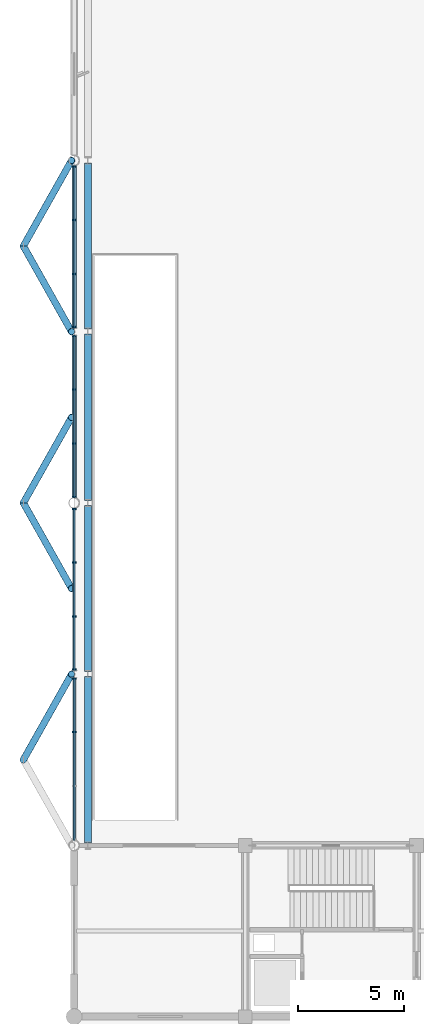
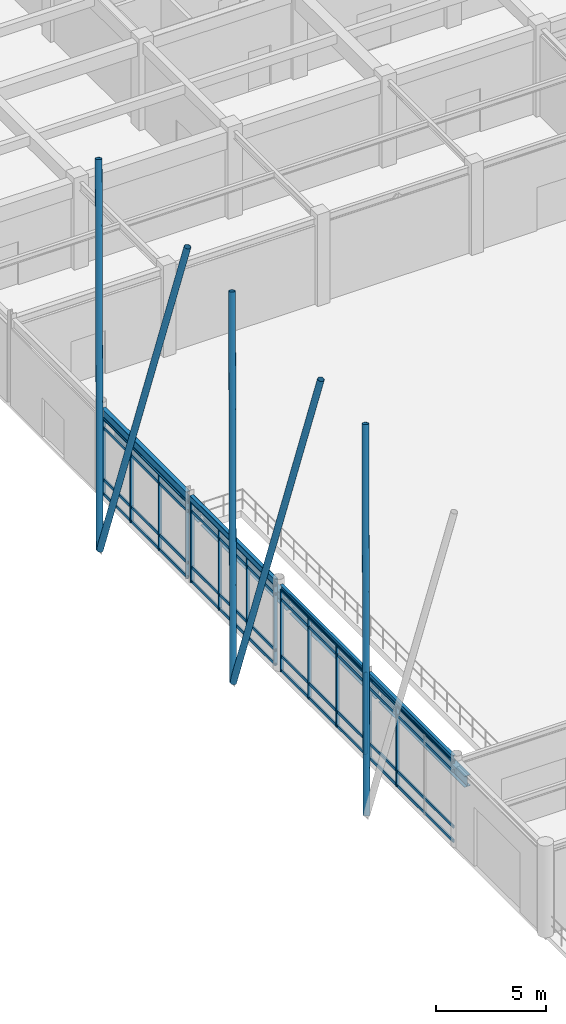
# One storey, part 31 of 99: 35 members, 8 beams, 4 elements without a shape of their own.
"""IFC4 building model written with IfcOpenShell, lengths in metres."""

from ifc_helpers import new_model, si_unit, direction, frame, origin, origin_2d, place, context, subcontext, project, spatial, rectangle, hollow_rectangle, hollow_circle, i_section, extrude, material, layer, layer_set, material_profile, profile_set, type_object, element, aggregate, save


model = new_model("IFC4")

# Units and contexts
model_context = context("Model", 3, precision=1e-05, world=origin(), true_north=direction((0.0, 1.0)))
body_context = subcontext(model_context, "Body", "Model", "MODEL_VIEW")
ifc_project = project(units=[si_unit("LENGTHUNIT", "METRE"), si_unit("AREAUNIT", "SQUARE_METRE"), si_unit("VOLUMEUNIT", "CUBIC_METRE"), si_unit("PLANEANGLEUNIT", "RADIAN"), si_unit("MASSUNIT", "GRAM", prefix="KILO")], contexts=[model_context])

# Site, building, storey
site_placement = place(None, origin())
site = spatial("IfcSite", under=ifc_project, at=site_placement, CompositionType="ELEMENT")
building_placement = place(site_placement, origin())
building = spatial("IfcBuilding", under=site, at=building_placement, Name="Vaudrelin Polytechnic", CompositionType="ELEMENT")
storey_placement = place(building_placement, origin())
storey = spatial("IfcBuildingStorey", under=building, at=storey_placement, Name="L00", CompositionType="ELEMENT", Elevation=0.0)

# Beams
ifc_material_1 = material(Name="Steel CSA G40.21 350W", Category="steel")
ifc_material_profile_1 = material_profile(ifc_material_1, i_section(OverallWidth=0.214111328125, OverallDepth=0.549072265625, WebThickness=0.0146484375, FlangeThickness=0.023681640625, FilletRadius=0.01904296875, at=origin_2d()), Name="W530x138")
ifc_profile_set_1 = profile_set([ifc_material_profile_1], Name="Steel CSA G40.21 350W")
beam_type_1 = type_object("IfcBeamType", Name="BM-BM-W530H", PredefinedType="BEAM", material=ifc_profile_set_1)
beam_1_placement = place(storey_placement, frame((0.0, 73.0615234375, 4.54541015625), z_axis=(0.0, 1.0, 0.0), x_axis=(-1.0, 0.0, 0.0)))
element("IfcBeam", 1, at=beam_1_placement, inside=storey, type_object=beam_type_1, Name="L00 Y-beam 1-10", PredefinedType="BEAM", context=body_context, shape_type="SweptSolid", body=[
    extrude(i_section(OverallWidth=0.214111328125, OverallDepth=0.549072265625, WebThickness=0.0146484375, FlangeThickness=0.023681640625, FilletRadius=0.01904296875, at=origin_2d()), origin(), (0.0, 0.0, 1.0), 7.699462890625),
])
ifc_material_profile_2 = material_profile(ifc_material_1, i_section(OverallWidth=0.323974609375, OverallDepth=0.611083984375, WebThickness=0.0126953125, FlangeThickness=0.01904296875, FilletRadius=0.02001953125, at=origin_2d()), Name="W610x155")
ifc_profile_set_2 = profile_set([ifc_material_profile_2], Name="Steel CSA G40.21 350W")
beam_type_2 = type_object("IfcBeamType", Name="BM-BM-W610H", PredefinedType="BEAM", material=ifc_profile_set_2)
beam_2_placement = place(storey_placement, frame((0.64990234375, 48.719970703125, 3.244384765625), z_axis=(0.0, 1.0, 0.0), x_axis=(-1.0, 0.0, 0.0)))
element("IfcBeam", 2, at=beam_2_placement, inside=storey, type_object=beam_type_2, Name="Workshop crane runway girder WEST bay 6", PredefinedType="BEAM", context=body_context, shape_type="SweptSolid", body=[
    extrude(i_section(OverallWidth=0.323974609375, OverallDepth=0.611083984375, WebThickness=0.0126953125, FlangeThickness=0.01904296875, FilletRadius=0.02001953125, at=origin_2d()), origin(), (0.0, 0.0, 1.0), 7.860107421875),
])
beam_3_placement = place(storey_placement, frame((0.64990234375, 56.820068359375, 3.244384765625), z_axis=(0.0, 1.0, 0.0), x_axis=(-1.0, 0.0, 0.0)))
element("IfcBeam", 3, at=beam_3_placement, inside=storey, type_object=beam_type_2, Name="Workshop crane runway girder WEST bay 7", PredefinedType="BEAM", context=body_context, shape_type="SweptSolid", body=[
    extrude(i_section(OverallWidth=0.323974609375, OverallDepth=0.611083984375, WebThickness=0.0126953125, FlangeThickness=0.01904296875, FilletRadius=0.02001953125, at=origin_2d()), origin(), (0.0, 0.0, 1.0), 7.85986328125),
])
beam_4_placement = place(storey_placement, frame((0.64990234375, 64.919921875, 3.244384765625), z_axis=(0.0, 1.0, 0.0), x_axis=(-1.0, 0.0, 0.0)))
element("IfcBeam", 4, at=beam_4_placement, inside=storey, type_object=beam_type_2, Name="Workshop crane runway girder WEST bay 8", PredefinedType="BEAM", context=body_context, shape_type="SweptSolid", body=[
    extrude(i_section(OverallWidth=0.323974609375, OverallDepth=0.611083984375, WebThickness=0.0126953125, FlangeThickness=0.01904296875, FilletRadius=0.02001953125, at=origin_2d()), origin(), (0.0, 0.0, 1.0), 7.860107421875),
])
beam_5_placement = place(storey_placement, frame((0.64990234375, 73.02001953125, 3.244384765625), z_axis=(0.0, 1.0, 0.0), x_axis=(-1.0, 0.0, 0.0)))
element("IfcBeam", 5, at=beam_5_placement, inside=storey, type_object=beam_type_2, Name="Workshop crane runway girder WEST bay 9", PredefinedType="BEAM", context=body_context, shape_type="SweptSolid", body=[
    extrude(i_section(OverallWidth=0.323974609375, OverallDepth=0.611083984375, WebThickness=0.0126953125, FlangeThickness=0.01904296875, FilletRadius=0.02001953125, at=origin_2d()), origin(), (0.0, 0.0, 1.0), 7.85986328125),
])
ifc_material_profile_3 = material_profile(ifc_material_1, i_section(OverallWidth=0.14794921875, OverallDepth=0.26611328125, WebThickness=0.007568359375, FlangeThickness=0.012939453125, FilletRadius=0.012939453125, at=origin_2d()), Name="W250x45")
ifc_profile_set_3 = profile_set([ifc_material_profile_3], Name="Steel CSA G40.21 350W")
beam_type_3 = type_object("IfcBeamType", Name="BM-JS-W250", PredefinedType="JOIST", material=ifc_profile_set_3)
beam_6_placement = place(storey_placement, frame((0.0, 56.861572265625, 4.68701171875), z_axis=(0.0, 1.0, 0.0), x_axis=(-1.0, 0.0, 0.0)))
element("IfcBeam", 6, at=beam_6_placement, inside=storey, type_object=beam_type_3, Name="L00 Y-beam 1-8", PredefinedType="JOIST", context=body_context, shape_type="SweptSolid", body=[
    extrude(i_section(OverallWidth=0.14794921875, OverallDepth=0.26611328125, WebThickness=0.007568359375, FlangeThickness=0.012939453125, FilletRadius=0.012939453125, at=origin_2d()), origin(), (0.0, 0.0, 1.0), 7.699462890625),
])
ifc_material_profile_4 = material_profile(ifc_material_1, i_section(OverallWidth=0.1669921875, OverallDepth=0.31689453125, WebThickness=0.007568359375, FlangeThickness=0.01318359375, FilletRadius=0.013916015625, at=origin_2d()), Name="W310x52")
ifc_profile_set_4 = profile_set([ifc_material_profile_4], Name="Steel CSA G40.21 350W")
beam_type_4 = type_object("IfcBeamType", Name="BM-JS-W310", PredefinedType="JOIST", material=ifc_profile_set_4)
beam_7_placement = place(storey_placement, frame((0.0, 48.839111328125, 4.66162109375), z_axis=(0.0, 1.0, 0.0), x_axis=(-1.0, 0.0, 0.0)))
element("IfcBeam", 7, at=beam_7_placement, inside=storey, type_object=beam_type_4, Name="L00 Y-beam 1-7", PredefinedType="JOIST", context=body_context, shape_type="SweptSolid", body=[
    extrude(i_section(OverallWidth=0.1669921875, OverallDepth=0.31689453125, WebThickness=0.007568359375, FlangeThickness=0.01318359375, FilletRadius=0.013916015625, at=origin_2d()), origin(), (0.0, 0.0, 1.0), 7.699462890625),
])
ifc_material_2 = material(Name="Steel CSA G40.21 350WT", Category="steel")
ifc_material_profile_5 = material_profile(ifc_material_2, hollow_rectangle(XDim=0.202880859375, YDim=0.304931640625, WallThickness=0.010986328125, InnerFilletRadius=0.010986328125, OuterFilletRadius=0.022216796875, at=origin_2d()), Name="HSS305x203x11.1")
ifc_profile_set_5 = profile_set([ifc_material_profile_5], Name="Steel CSA G40.21 350WT")
beam_type_5 = type_object("IfcBeamType", Name="BM-SP-HSS30", PredefinedType="SPANDREL", material=ifc_profile_set_5)
beam_8_placement = place(storey_placement, frame((0.0, 65.0390625, 4.66748046875), z_axis=(0.0, 1.0, 0.0), x_axis=(-1.0, 0.0, 0.0)))
element("IfcBeam", 8, at=beam_8_placement, inside=storey, type_object=beam_type_5, Name="L00 Y-beam 1-9", PredefinedType="SPANDREL", context=body_context, shape_type="SweptSolid", body=[
    extrude(hollow_rectangle(XDim=0.202880859375, YDim=0.304931640625, WallThickness=0.010986328125, InnerFilletRadius=0.010986328125, OuterFilletRadius=0.022216796875, at=origin_2d()), origin(), (0.0, 0.0, 1.0), 7.699462890625),
])

# Curtain wall, members
ifc_material_3 = material(Name="Thermally broken anodised aluminium AA 6063-T6 and low-e triple glazing", Category="aluminium")
ifc_layer = layer(ifc_material_3, 0.199951171875)
ifc_layer_set = layer_set([ifc_layer], Name="Thermally broken anodised aluminium AA 6063-T6 and low-e triple glazing")
curtain_wall_type = type_object("IfcCurtainWallType", Name="CW-CW-POR", PredefinedType="USERDEFINED", material=ifc_layer_set)
curtain_wall_1_placement = place(storey_placement, origin())
curtain_wall_1 = element("IfcCurtainWall", 9, at=curtain_wall_1_placement, inside=storey, type_object=curtain_wall_type, Name="Curtain wall L00 W_V1_01", ObjectType="CURTAIN WALL", PredefinedType="USERDEFINED")
ifc_material_4 = material(Name="Anodised aluminium AA 6063-T6", Category="aluminium")
ifc_material_profile_6 = material_profile(ifc_material_4, rectangle(XDim=0.06494140625, YDim=0.179931640625, at=origin_2d()), Name="CWM-65x180")
ifc_profile_set_6 = profile_set([ifc_material_profile_6], Name="Anodised aluminium AA 6063-T6")
member_type_1 = type_object("IfcMemberType", Name="MEM-CWM-180", PredefinedType="MULLION", material=ifc_profile_set_6)
member_1_placement = place(storey_placement, frame((0.0, 53.9677734375, 0.0), z_axis=(0.0, 0.0, 1.0), x_axis=(0.0, 1.0, 0.0)))
member_1 = element("IfcMember", 10, at=member_1_placement, type_object=member_type_1, Name="W_V1_01 mullion 3", PredefinedType="MULLION", context=body_context, shape_type="SweptSolid", body=[
    extrude(rectangle(XDim=0.06494140625, YDim=0.179931640625, at=origin_2d()), origin(), (0.0, 0.0, 1.0), 4.5048828125),
])
member_2_placement = place(storey_placement, frame((0.0, 56.485595703125, 0.0), z_axis=(0.0, 0.0, 1.0), x_axis=(0.0, 1.0, 0.0)))
member_2 = element("IfcMember", 11, at=member_2_placement, type_object=member_type_1, Name="W_V1_01 mullion 4", PredefinedType="MULLION", context=body_context, shape_type="SweptSolid", body=[
    extrude(rectangle(XDim=0.06494140625, YDim=0.179931640625, at=origin_2d()), origin(), (0.0, 0.0, 1.0), 4.5048828125),
])

curtain_wall_2_placement = place(storey_placement, origin())
curtain_wall_2 = element("IfcCurtainWall", 12, at=curtain_wall_2_placement, inside=storey, type_object=curtain_wall_type, Name="Curtain wall L00 W_V1_02", ObjectType="CURTAIN WALL", PredefinedType="USERDEFINED")
member_3_placement = place(storey_placement, frame((0.0, 56.91455078125, 0.0), z_axis=(0.0, 0.0, 1.0), x_axis=(0.0, 1.0, 0.0)))
member_3 = element("IfcMember", 13, at=member_3_placement, type_object=member_type_1, Name="W_V1_02 mullion 1", PredefinedType="MULLION", context=body_context, shape_type="SweptSolid", body=[
    extrude(rectangle(XDim=0.06494140625, YDim=0.179931640625, at=origin_2d()), origin(), (0.0, 0.0, 1.0), 4.555908203125),
])
member_4_placement = place(storey_placement, frame((0.0, 59.432373046875, 0.0), z_axis=(0.0, 0.0, 1.0), x_axis=(0.0, 1.0, 0.0)))
member_4 = element("IfcMember", 14, at=member_4_placement, type_object=member_type_1, Name="W_V1_02 mullion 2", PredefinedType="MULLION", context=body_context, shape_type="SweptSolid", body=[
    extrude(rectangle(XDim=0.06494140625, YDim=0.179931640625, at=origin_2d()), origin(), (0.0, 0.0, 1.0), 4.555908203125),
])
member_5_placement = place(storey_placement, frame((0.0, 61.990234375, 0.0), z_axis=(0.0, 0.0, 1.0), x_axis=(0.0, 1.0, 0.0)))
member_5 = element("IfcMember", 15, at=member_5_placement, type_object=member_type_1, Name="W_V1_02 mullion 3", PredefinedType="MULLION", context=body_context, shape_type="SweptSolid", body=[
    extrude(rectangle(XDim=0.06494140625, YDim=0.179931640625, at=origin_2d()), origin(), (0.0, 0.0, 1.0), 4.555908203125),
])
member_6_placement = place(storey_placement, frame((0.0, 64.508056640625, 0.0), z_axis=(0.0, 0.0, 1.0), x_axis=(0.0, 1.0, 0.0)))
member_6 = element("IfcMember", 16, at=member_6_placement, type_object=member_type_1, Name="W_V1_02 mullion 4", PredefinedType="MULLION", context=body_context, shape_type="SweptSolid", body=[
    extrude(rectangle(XDim=0.06494140625, YDim=0.179931640625, at=origin_2d()), origin(), (0.0, 0.0, 1.0), 4.555908203125),
])

curtain_wall_3_placement = place(storey_placement, origin())
curtain_wall_3 = element("IfcCurtainWall", 17, at=curtain_wall_3_placement, inside=storey, type_object=curtain_wall_type, Name="Curtain wall L00 W_V1_03", ObjectType="CURTAIN WALL", PredefinedType="USERDEFINED")
member_7_placement = place(storey_placement, frame((0.0, 65.092041015625, 0.0), z_axis=(0.0, 0.0, 1.0), x_axis=(0.0, 1.0, 0.0)))
member_7 = element("IfcMember", 18, at=member_7_placement, type_object=member_type_1, Name="W_V1_03 mullion 1", PredefinedType="MULLION", context=body_context, shape_type="SweptSolid", body=[
    extrude(rectangle(XDim=0.06494140625, YDim=0.179931640625, at=origin_2d()), origin(), (0.0, 0.0, 1.0), 4.51708984375),
])
member_8_placement = place(storey_placement, frame((0.0, 67.60986328125, 0.0), z_axis=(0.0, 0.0, 1.0), x_axis=(0.0, 1.0, 0.0)))
member_8 = element("IfcMember", 19, at=member_8_placement, type_object=member_type_1, Name="W_V1_03 mullion 2", PredefinedType="MULLION", context=body_context, shape_type="SweptSolid", body=[
    extrude(rectangle(XDim=0.06494140625, YDim=0.179931640625, at=origin_2d()), origin(), (0.0, 0.0, 1.0), 4.51708984375),
])
member_9_placement = place(storey_placement, frame((0.0, 70.167724609375, 0.0), z_axis=(0.0, 0.0, 1.0), x_axis=(0.0, 1.0, 0.0)))
member_9 = element("IfcMember", 20, at=member_9_placement, type_object=member_type_1, Name="W_V1_03 mullion 3", PredefinedType="MULLION", context=body_context, shape_type="SweptSolid", body=[
    extrude(rectangle(XDim=0.06494140625, YDim=0.179931640625, at=origin_2d()), origin(), (0.0, 0.0, 1.0), 4.51708984375),
])
member_10_placement = place(storey_placement, frame((0.0, 72.685546875, 0.0), z_axis=(0.0, 0.0, 1.0), x_axis=(0.0, 1.0, 0.0)))
member_10 = element("IfcMember", 21, at=member_10_placement, type_object=member_type_1, Name="W_V1_03 mullion 4", PredefinedType="MULLION", context=body_context, shape_type="SweptSolid", body=[
    extrude(rectangle(XDim=0.06494140625, YDim=0.179931640625, at=origin_2d()), origin(), (0.0, 0.0, 1.0), 4.51708984375),
])

curtain_wall_4_placement = place(storey_placement, origin())
curtain_wall_4 = element("IfcCurtainWall", 22, at=curtain_wall_4_placement, inside=storey, type_object=curtain_wall_type, Name="Curtain wall L00 W_V1_04", ObjectType="CURTAIN WALL", PredefinedType="USERDEFINED")
member_11_placement = place(storey_placement, frame((0.0, 73.114501953125, 0.0), z_axis=(0.0, 0.0, 1.0), x_axis=(0.0, 1.0, 0.0)))
member_11 = element("IfcMember", 23, at=member_11_placement, type_object=member_type_1, Name="W_V1_04 mullion 1", PredefinedType="MULLION", context=body_context, shape_type="SweptSolid", body=[
    extrude(rectangle(XDim=0.06494140625, YDim=0.179931640625, at=origin_2d()), origin(), (0.0, 0.0, 1.0), 4.27294921875),
])
member_12_placement = place(storey_placement, frame((0.0, 75.63232421875, 0.0), z_axis=(0.0, 0.0, 1.0), x_axis=(0.0, 1.0, 0.0)))
member_12 = element("IfcMember", 24, at=member_12_placement, type_object=member_type_1, Name="W_V1_04 mullion 2", PredefinedType="MULLION", context=body_context, shape_type="SweptSolid", body=[
    extrude(rectangle(XDim=0.06494140625, YDim=0.179931640625, at=origin_2d()), origin(), (0.0, 0.0, 1.0), 4.27294921875),
])
member_13_placement = place(storey_placement, frame((0.0, 78.190185546875, 0.0), z_axis=(0.0, 0.0, 1.0), x_axis=(0.0, 1.0, 0.0)))
member_13 = element("IfcMember", 25, at=member_13_placement, type_object=member_type_1, Name="W_V1_04 mullion 3", PredefinedType="MULLION", context=body_context, shape_type="SweptSolid", body=[
    extrude(rectangle(XDim=0.06494140625, YDim=0.179931640625, at=origin_2d()), origin(), (0.0, 0.0, 1.0), 4.27294921875),
])
member_14_placement = place(storey_placement, frame((0.0, 80.7080078125, 0.0), z_axis=(0.0, 0.0, 1.0), x_axis=(0.0, 1.0, 0.0)))
member_14 = element("IfcMember", 26, at=member_14_placement, type_object=member_type_1, Name="W_V1_04 mullion 4", PredefinedType="MULLION", context=body_context, shape_type="SweptSolid", body=[
    extrude(rectangle(XDim=0.06494140625, YDim=0.179931640625, at=origin_2d()), origin(), (0.0, 0.0, 1.0), 4.27294921875),
])

# Member
ifc_material_profile_7 = material_profile(ifc_material_4, rectangle(XDim=0.074951171875, YDim=0.1650390625, at=origin_2d()), Name="CWT-75x165")
ifc_profile_set_7 = profile_set([ifc_material_profile_7], Name="Anodised aluminium AA 6063-T6")
member_type_2 = type_object("IfcMemberType", Name="MEM-CWT-165", PredefinedType="USERDEFINED", material=ifc_profile_set_7)
member_15_placement = place(storey_placement, frame((0.0, 48.85205078125, 0.050048828125), z_axis=(0.0, 1.0, 0.0), x_axis=(-1.0, 0.0, 0.0)))
member_15 = element("IfcMember", 27, at=member_15_placement, type_object=member_type_2, Name="W_V1_01 transom 1", ObjectType="TRANSOM", PredefinedType="USERDEFINED", context=body_context, shape_type="SweptSolid", body=[
    extrude(rectangle(XDim=0.074951171875, YDim=0.1650390625, at=origin_2d()), origin(), (0.0, 0.0, 1.0), 7.67333984375),
])

member_16_placement = place(storey_placement, frame((0.0, 48.85205078125, 0.85009765625), z_axis=(0.0, 1.0, 0.0), x_axis=(-1.0, 0.0, 0.0)))
member_16 = element("IfcMember", 28, at=member_16_placement, type_object=member_type_2, Name="W_V1_01 transom 2", ObjectType="TRANSOM", PredefinedType="USERDEFINED", context=body_context, shape_type="SweptSolid", body=[
    extrude(rectangle(XDim=0.074951171875, YDim=0.1650390625, at=origin_2d()), origin(), (0.0, 0.0, 1.0), 7.67333984375),
])

member_17_placement = place(storey_placement, frame((0.0, 48.85205078125, 3.955078125), z_axis=(0.0, 1.0, 0.0), x_axis=(-1.0, 0.0, 0.0)))
member_17 = element("IfcMember", 29, at=member_17_placement, type_object=member_type_2, Name="W_V1_01 transom 3", ObjectType="TRANSOM", PredefinedType="USERDEFINED", context=body_context, shape_type="SweptSolid", body=[
    extrude(rectangle(XDim=0.074951171875, YDim=0.1650390625, at=origin_2d()), origin(), (0.0, 0.0, 1.0), 7.67333984375),
])

member_18_placement = place(storey_placement, frame((0.0, 48.85205078125, 4.455078125), z_axis=(0.0, 1.0, 0.0), x_axis=(-1.0, 0.0, 0.0)))
member_18 = element("IfcMember", 30, at=member_18_placement, type_object=member_type_2, Name="W_V1_01 transom 4", ObjectType="TRANSOM", PredefinedType="USERDEFINED", context=body_context, shape_type="SweptSolid", body=[
    extrude(rectangle(XDim=0.074951171875, YDim=0.1650390625, at=origin_2d()), origin(), (0.0, 0.0, 1.0), 7.67333984375),
])

aggregate(curtain_wall_1, [member_1, member_2, member_15, member_16, member_17, member_18])

member_19_placement = place(storey_placement, frame((0.0, 56.87451171875, 0.050048828125), z_axis=(0.0, 1.0, 0.0), x_axis=(-1.0, 0.0, 0.0)))
member_19 = element("IfcMember", 31, at=member_19_placement, type_object=member_type_2, Name="W_V1_02 transom 1", ObjectType="TRANSOM", PredefinedType="USERDEFINED", context=body_context, shape_type="SweptSolid", body=[
    extrude(rectangle(XDim=0.074951171875, YDim=0.1650390625, at=origin_2d()), origin(), (0.0, 0.0, 1.0), 7.673583984375),
])

member_20_placement = place(storey_placement, frame((0.0, 56.87451171875, 0.85009765625), z_axis=(0.0, 1.0, 0.0), x_axis=(-1.0, 0.0, 0.0)))
member_20 = element("IfcMember", 32, at=member_20_placement, type_object=member_type_2, Name="W_V1_02 transom 2", ObjectType="TRANSOM", PredefinedType="USERDEFINED", context=body_context, shape_type="SweptSolid", body=[
    extrude(rectangle(XDim=0.074951171875, YDim=0.1650390625, at=origin_2d()), origin(), (0.0, 0.0, 1.0), 7.673583984375),
])

member_21_placement = place(storey_placement, frame((0.0, 56.87451171875, 4.006103515625), z_axis=(0.0, 1.0, 0.0), x_axis=(-1.0, 0.0, 0.0)))
member_21 = element("IfcMember", 33, at=member_21_placement, type_object=member_type_2, Name="W_V1_02 transom 3", ObjectType="TRANSOM", PredefinedType="USERDEFINED", context=body_context, shape_type="SweptSolid", body=[
    extrude(rectangle(XDim=0.074951171875, YDim=0.1650390625, at=origin_2d()), origin(), (0.0, 0.0, 1.0), 7.673583984375),
])

member_22_placement = place(storey_placement, frame((0.0, 56.87451171875, 4.506103515625), z_axis=(0.0, 1.0, 0.0), x_axis=(-1.0, 0.0, 0.0)))
member_22 = element("IfcMember", 34, at=member_22_placement, type_object=member_type_2, Name="W_V1_02 transom 4", ObjectType="TRANSOM", PredefinedType="USERDEFINED", context=body_context, shape_type="SweptSolid", body=[
    extrude(rectangle(XDim=0.074951171875, YDim=0.1650390625, at=origin_2d()), origin(), (0.0, 0.0, 1.0), 7.673583984375),
])

aggregate(curtain_wall_2, [member_3, member_4, member_5, member_6, member_19, member_20, member_21, member_22])

member_23_placement = place(storey_placement, frame((0.0, 65.052001953125, 0.050048828125), z_axis=(0.0, 1.0, 0.0), x_axis=(-1.0, 0.0, 0.0)))
member_23 = element("IfcMember", 35, at=member_23_placement, type_object=member_type_2, Name="W_V1_03 transom 1", ObjectType="TRANSOM", PredefinedType="USERDEFINED", context=body_context, shape_type="SweptSolid", body=[
    extrude(rectangle(XDim=0.074951171875, YDim=0.1650390625, at=origin_2d()), origin(), (0.0, 0.0, 1.0), 7.673583984375),
])

member_24_placement = place(storey_placement, frame((0.0, 65.052001953125, 0.85009765625), z_axis=(0.0, 1.0, 0.0), x_axis=(-1.0, 0.0, 0.0)))
member_24 = element("IfcMember", 36, at=member_24_placement, type_object=member_type_2, Name="W_V1_03 transom 2", ObjectType="TRANSOM", PredefinedType="USERDEFINED", context=body_context, shape_type="SweptSolid", body=[
    extrude(rectangle(XDim=0.074951171875, YDim=0.1650390625, at=origin_2d()), origin(), (0.0, 0.0, 1.0), 7.673583984375),
])

member_25_placement = place(storey_placement, frame((0.0, 65.052001953125, 3.967041015625), z_axis=(0.0, 1.0, 0.0), x_axis=(-1.0, 0.0, 0.0)))
member_25 = element("IfcMember", 37, at=member_25_placement, type_object=member_type_2, Name="W_V1_03 transom 3", ObjectType="TRANSOM", PredefinedType="USERDEFINED", context=body_context, shape_type="SweptSolid", body=[
    extrude(rectangle(XDim=0.074951171875, YDim=0.1650390625, at=origin_2d()), origin(), (0.0, 0.0, 1.0), 7.673583984375),
])

member_26_placement = place(storey_placement, frame((0.0, 65.052001953125, 4.467041015625), z_axis=(0.0, 1.0, 0.0), x_axis=(-1.0, 0.0, 0.0)))
member_26 = element("IfcMember", 38, at=member_26_placement, type_object=member_type_2, Name="W_V1_03 transom 4", ObjectType="TRANSOM", PredefinedType="USERDEFINED", context=body_context, shape_type="SweptSolid", body=[
    extrude(rectangle(XDim=0.074951171875, YDim=0.1650390625, at=origin_2d()), origin(), (0.0, 0.0, 1.0), 7.673583984375),
])

aggregate(curtain_wall_3, [member_7, member_8, member_9, member_10, member_23, member_24, member_25, member_26])

member_27_placement = place(storey_placement, frame((0.0, 73.074462890625, 0.050048828125), z_axis=(0.0, 1.0, 0.0), x_axis=(-1.0, 0.0, 0.0)))
member_27 = element("IfcMember", 39, at=member_27_placement, type_object=member_type_2, Name="W_V1_04 transom 1", ObjectType="TRANSOM", PredefinedType="USERDEFINED", context=body_context, shape_type="SweptSolid", body=[
    extrude(rectangle(XDim=0.074951171875, YDim=0.1650390625, at=origin_2d()), origin(), (0.0, 0.0, 1.0), 7.673583984375),
])

member_28_placement = place(storey_placement, frame((0.0, 73.074462890625, 0.85009765625), z_axis=(0.0, 1.0, 0.0), x_axis=(-1.0, 0.0, 0.0)))
member_28 = element("IfcMember", 40, at=member_28_placement, type_object=member_type_2, Name="W_V1_04 transom 2", ObjectType="TRANSOM", PredefinedType="USERDEFINED", context=body_context, shape_type="SweptSolid", body=[
    extrude(rectangle(XDim=0.074951171875, YDim=0.1650390625, at=origin_2d()), origin(), (0.0, 0.0, 1.0), 7.673583984375),
])

member_29_placement = place(storey_placement, frame((0.0, 73.074462890625, 3.722900390625), z_axis=(0.0, 1.0, 0.0), x_axis=(-1.0, 0.0, 0.0)))
member_29 = element("IfcMember", 41, at=member_29_placement, type_object=member_type_2, Name="W_V1_04 transom 3", ObjectType="TRANSOM", PredefinedType="USERDEFINED", context=body_context, shape_type="SweptSolid", body=[
    extrude(rectangle(XDim=0.074951171875, YDim=0.1650390625, at=origin_2d()), origin(), (0.0, 0.0, 1.0), 7.673583984375),
])

member_30_placement = place(storey_placement, frame((0.0, 73.074462890625, 4.222900390625), z_axis=(0.0, 1.0, 0.0), x_axis=(-1.0, 0.0, 0.0)))
member_30 = element("IfcMember", 42, at=member_30_placement, type_object=member_type_2, Name="W_V1_04 transom 4", ObjectType="TRANSOM", PredefinedType="USERDEFINED", context=body_context, shape_type="SweptSolid", body=[
    extrude(rectangle(XDim=0.074951171875, YDim=0.1650390625, at=origin_2d()), origin(), (0.0, 0.0, 1.0), 7.673583984375),
])

aggregate(curtain_wall_4, [member_11, member_12, member_13, member_14, member_27, member_28, member_29, member_30])

# Members
ifc_material_profile_8 = material_profile(ifc_material_2, hollow_circle(Radius=0.161865234375, WallThickness=0.0126953125, at=origin_2d()), Name="CHS323.9x12.7")
ifc_profile_set_8 = profile_set([ifc_material_profile_8], Name="Steel CSA G40.21 350WT")
member_type_3 = type_object("IfcMemberType", Name="MEM-TR-BR2", PredefinedType="BRACE", material=ifc_profile_set_8)
for number, where, z_axis, x_axis, name in (
    (43, (-2.39990234375, 52.64990234375, 0.050048828125), (0.119424390018, 0.212157978797, 0.969910721201), (-0.87142538739, 0.490528076885, 0.0), "Workshop street inclined V-strut 6-N"),
    (44, (-2.39990234375, 64.800048828125, 0.050048828125), (0.119424390018, -0.212157978797, 0.969910721201), (0.87142538739, 0.490528076885, 0.0), "Workshop street inclined V-strut 8-S"),
    (45, (-2.39990234375, 64.800048828125, 0.050048828125), (0.119424390018, 0.212157978797, 0.969910721201), (-0.87142538739, 0.490528076885, 0.0), "Workshop street inclined V-strut 8-N"),
    (46, (-2.39990234375, 76.949951171875, 0.050048828125), (0.119424390018, -0.212157978797, 0.969910721201), (0.87142538739, 0.490528076885, 0.0), "Workshop street inclined V-strut 10-S"),
    (47, (-2.39990234375, 76.949951171875, 0.050048828125), (0.119424390018, 0.212157978797, 0.969910721201), (-0.87142538739, 0.490528076885, 0.0), "Workshop street inclined V-strut 10-N"),
):
    element("IfcMember", number, at=place(storey_placement, frame(where, z_axis=z_axis, x_axis=x_axis)), inside=storey, type_object=member_type_3, Name=name, PredefinedType="BRACE", context=body_context, shape_type="SweptSolid", body=[
        extrude(hollow_circle(Radius=0.161865234375, WallThickness=0.0126953125, at=origin_2d()), origin(), (0.0, 0.0, 1.0), 19.08984375),
    ])

save(model, "model.ifc")
